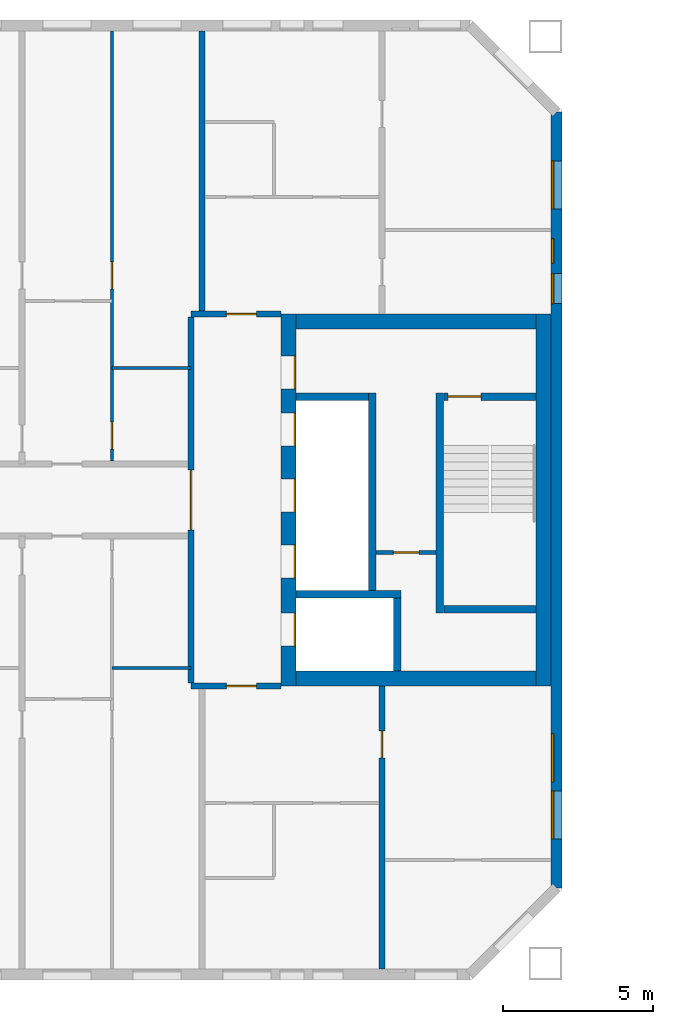
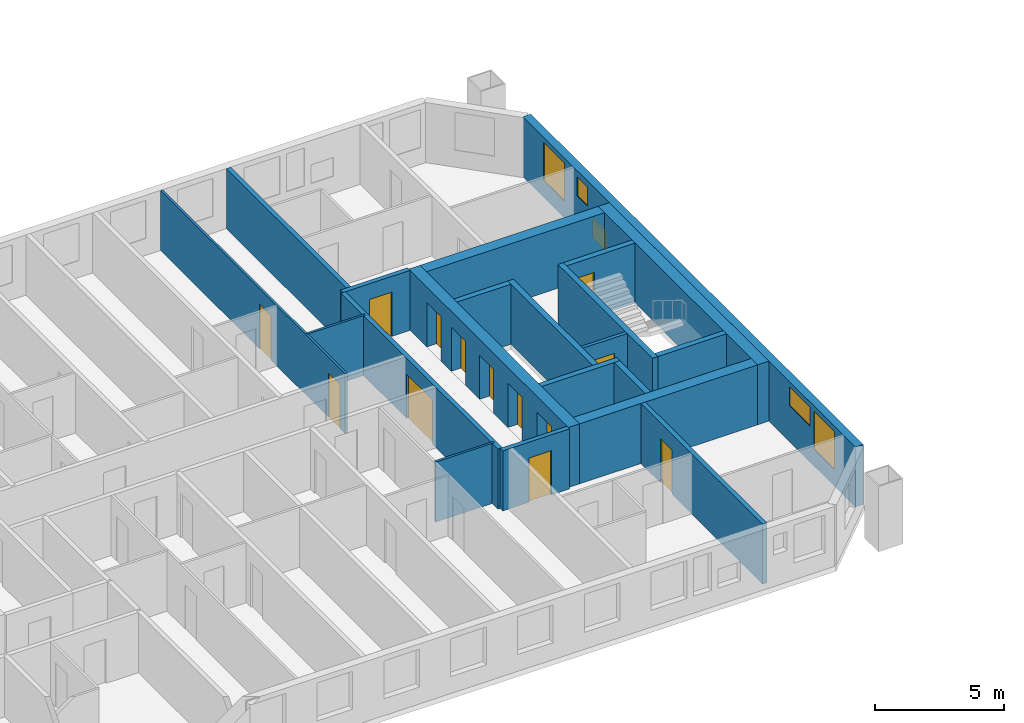
# One storey, part 7 of 16: 21 walls, 13 doors, 5 windows, 18 openings.
"""IFC4 building model written with IfcOpenShell, lengths in metres."""

from ifc_helpers import new_model, si_unit, direction, frame, frame_2d, origin, place, context, subcontext, project, spatial, rectangle, extrude, material, layer, layer_set, type_object, element, fill, save


model = new_model("IFC4")

# Units and contexts
model_context = context("Model", 3, precision=1e-05, world=origin(), true_north=direction((0.0, 1.0)))
body_context = subcontext(model_context, "Body", "Model", "MODEL_VIEW")
ifc_project = project(units=[si_unit("LENGTHUNIT", "METRE"), si_unit("AREAUNIT", "SQUARE_METRE"), si_unit("VOLUMEUNIT", "CUBIC_METRE"), si_unit("PLANEANGLEUNIT", "RADIAN"), si_unit("MASSUNIT", "GRAM", prefix="KILO")], contexts=[model_context])

# Site, building, storey
site_placement = place(None, origin())
site = spatial("IfcSite", under=ifc_project, at=site_placement, CompositionType="ELEMENT")
building_placement = place(site_placement, origin())
building = spatial("IfcBuilding", under=site, at=building_placement, Name="Tuart Gate Housing", CompositionType="ELEMENT")
storey_placement = place(building_placement, frame((0.0, 0.0, 151.60009765625)))
storey = spatial("IfcBuildingStorey", under=building, at=storey_placement, Name="L42", CompositionType="ELEMENT", Elevation=151.60009765625)

# Wall, openings, windows
ifc_material_1 = material(Name="Brick", Category="masonry")
ifc_layer_1 = layer(ifc_material_1, 0.360107421875)
ifc_layer_set_1 = layer_set([ifc_layer_1], Name="Brick pier and spandrel wall 360")
wall_type_1 = type_object("IfcWallType", Name="Brick pier and spandrel wall 360", PredefinedType="STANDARD", material=ifc_layer_set_1)
wall_1_placement = place(storey_placement, frame((75.820068359375, 57.07470703125, 0.0), z_axis=(0.0, 0.0, 1.0), x_axis=(0.0, 1.0, 0.0)))
wall_1 = element("IfcWall", 1, at=wall_1_placement, inside=storey, type_object=wall_type_1, Name="External wall A-E L42", PredefinedType="STANDARD", context=body_context, shape_type="SweptSolid", body=[
    extrude(rectangle(XDim=25.850830078125, YDim=0.360107421875, at=frame_2d((12.92529296875, 0.0))), origin(), (0.0, 0.0, 1.0), 2.849853515625),
])
opening_1_placement = place(wall_1_placement, frame((1.62548828125, 0.0, 0.800048828125)))
opening_1 = element("IfcOpeningElement", 2, at=opening_1_placement, cuts=wall_1, Name="Opening W1", PredefinedType="OPENING", context=body_context, shape_type="SweptSolid", body=[
    extrude(rectangle(XDim=1.60009765625, YDim=1.800048828125, at=frame_2d((0.800048828125, 0.89990234375))), frame((0.0, 0.18994140625, 0.0), z_axis=(0.0, -1.0, 0.0), x_axis=(1.0, 0.0, 0.0)), (0.0, 0.0, 1.0), 0.380126953125),
])
opening_2_placement = place(wall_1_placement, frame((3.525390625, 0.0, 1.699951171875)))
opening_2 = element("IfcOpeningElement", 3, at=opening_2_placement, cuts=wall_1, Name="Opening W1R", PredefinedType="OPENING", context=body_context, shape_type="SweptSolid", body=[
    extrude(rectangle(XDim=1.60009765625, YDim=0.89990234375, at=frame_2d((0.800048828125, 0.449951171875))), frame((0.0, 0.18994140625, 0.0), z_axis=(0.0, -1.0, 0.0), x_axis=(1.0, 0.0, 0.0)), (0.0, 0.0, 1.0), 0.380126953125),
])
opening_3_placement = place(wall_1_placement, frame((19.475341796875, 0.0, 0.35009765625)))
opening_3 = element("IfcOpeningElement", 4, at=opening_3_placement, cuts=wall_1, Name="Opening W1U", PredefinedType="OPENING", context=body_context, shape_type="SweptSolid", body=[
    extrude(rectangle(XDim=1.0, YDim=0.89990234375, at=frame_2d((0.5, 0.449951171875))), frame((0.0, 0.18994140625, 0.0), z_axis=(0.0, -1.0, 0.0), x_axis=(1.0, 0.0, 0.0)), (0.0, 0.0, 1.0), 0.380126953125),
])
opening_4_placement = place(wall_1_placement, frame((22.62548828125, 0.0, 0.800048828125)))
opening_4 = element("IfcOpeningElement", 5, at=opening_4_placement, cuts=wall_1, Name="Opening W1", PredefinedType="OPENING", context=body_context, shape_type="SweptSolid", body=[
    extrude(rectangle(XDim=1.60009765625, YDim=1.800048828125, at=frame_2d((0.800048828125, 0.89990234375))), frame((0.0, 0.18994140625, 0.0), z_axis=(0.0, -1.0, 0.0), x_axis=(1.0, 0.0, 0.0)), (0.0, 0.0, 1.0), 0.380126953125),
])
opening_5_placement = place(wall_1_placement, frame((20.825439453125, 0.0, 1.64990234375)))
opening_5 = element("IfcOpeningElement", 6, at=opening_5_placement, cuts=wall_1, Name="Opening W1V", PredefinedType="OPENING", context=body_context, shape_type="SweptSolid", body=[
    extrude(rectangle(XDim=0.800048828125, YDim=0.89990234375, at=frame_2d((0.39990234375, 0.449951171875))), frame((0.0, 0.18994140625, 0.0), z_axis=(0.0, -1.0, 0.0), x_axis=(1.0, 0.0, 0.0)), (0.0, 0.0, 1.0), 0.380126953125),
])
ifc_material_2 = material(Name="Aluminium frame with clear glass", Category="aluminium")
window_type_1 = type_object("IfcWindowType", Name="Punched window 1000 x 900", PartitioningType="SINGLE_PANEL", PredefinedType="WINDOW", material=ifc_material_2)
window_1_placement = place(opening_3_placement, origin())
window_1 = element("IfcWindow", 7, at=window_1_placement, inside=storey, type_object=window_type_1, Name="Window W1U", OverallHeight=0.89990234375, OverallWidth=1.0, PartitioningType="SINGLE_PANEL", PredefinedType="WINDOW", context=body_context, shape_type="SweptSolid", body=[
    extrude(rectangle(XDim=1.0, YDim=0.89990234375, at=frame_2d((0.5, 0.449951171875))), frame((0.0, 0.150146484375, 0.0), z_axis=(0.0, -1.0, 0.0), x_axis=(1.0, 0.0, 0.0)), (0.0, 0.0, 1.0), 0.06005859375),
])
fill(opening_3, window_1)
ifc_material_3 = material(Name="Aluminium frame with clear glass", Category="aluminium")
window_type_2 = type_object("IfcWindowType", Name="Punched window 1600 x 1800", PartitioningType="SINGLE_PANEL", PredefinedType="WINDOW", material=ifc_material_3)
window_2_placement = place(opening_1_placement, origin())
window_2 = element("IfcWindow", 8, at=window_2_placement, inside=storey, type_object=window_type_2, Name="Window W1", OverallHeight=1.800048828125, OverallWidth=1.60009765625, PartitioningType="SINGLE_PANEL", PredefinedType="WINDOW", context=body_context, shape_type="SweptSolid", body=[
    extrude(rectangle(XDim=1.60009765625, YDim=1.800048828125, at=frame_2d((0.800048828125, 0.89990234375))), frame((0.0, 0.150146484375, 0.0), z_axis=(0.0, -1.0, 0.0), x_axis=(1.0, 0.0, 0.0)), (0.0, 0.0, 1.0), 0.06005859375),
])
fill(opening_1, window_2)
window_3_placement = place(opening_4_placement, origin())
window_3 = element("IfcWindow", 9, at=window_3_placement, inside=storey, type_object=window_type_2, Name="Window W1", OverallHeight=1.800048828125, OverallWidth=1.60009765625, PartitioningType="SINGLE_PANEL", PredefinedType="WINDOW", context=body_context, shape_type="SweptSolid", body=[
    extrude(rectangle(XDim=1.60009765625, YDim=1.800048828125, at=frame_2d((0.800048828125, 0.89990234375))), frame((0.0, 0.150146484375, 0.0), z_axis=(0.0, -1.0, 0.0), x_axis=(1.0, 0.0, 0.0)), (0.0, 0.0, 1.0), 0.06005859375),
])
fill(opening_4, window_3)
ifc_material_4 = material(Name="Aluminium frame with clear glass", Category="aluminium")
window_type_3 = type_object("IfcWindowType", Name="Punched window 1600 x 900", PartitioningType="SINGLE_PANEL", PredefinedType="WINDOW", material=ifc_material_4)
window_4_placement = place(opening_2_placement, origin())
window_4 = element("IfcWindow", 10, at=window_4_placement, inside=storey, type_object=window_type_3, Name="Window W1R", OverallHeight=0.89990234375, OverallWidth=1.60009765625, PartitioningType="SINGLE_PANEL", PredefinedType="WINDOW", context=body_context, shape_type="SweptSolid", body=[
    extrude(rectangle(XDim=1.60009765625, YDim=0.89990234375, at=frame_2d((0.800048828125, 0.449951171875))), frame((0.0, 0.150146484375, 0.0), z_axis=(0.0, -1.0, 0.0), x_axis=(1.0, 0.0, 0.0)), (0.0, 0.0, 1.0), 0.06005859375),
])
fill(opening_2, window_4)
ifc_material_5 = material(Name="Aluminium frame with clear glass", Category="aluminium")
window_type_4 = type_object("IfcWindowType", Name="Punched window 800 x 900", PartitioningType="SINGLE_PANEL", PredefinedType="WINDOW", material=ifc_material_5)
window_5_placement = place(opening_5_placement, origin())
window_5 = element("IfcWindow", 11, at=window_5_placement, inside=storey, type_object=window_type_4, Name="Window W1V", OverallHeight=0.89990234375, OverallWidth=0.800048828125, PartitioningType="SINGLE_PANEL", PredefinedType="WINDOW", context=body_context, shape_type="SweptSolid", body=[
    extrude(rectangle(XDim=0.800048828125, YDim=0.89990234375, at=frame_2d((0.39990234375, 0.449951171875))), frame((0.0, 0.150146484375, 0.0), z_axis=(0.0, -1.0, 0.0), x_axis=(1.0, 0.0, 0.0)), (0.0, 0.0, 1.0), 0.06005859375),
])
fill(opening_5, window_5)

# Wall, opening, door
ifc_material_6 = material(Name="Plasterboard partition")
ifc_layer_2 = layer(ifc_material_6, 0.14990234375)
ifc_layer_set_2 = layer_set([ifc_layer_2], Name="Core partition 150")
wall_type_2 = type_object("IfcWallType", Name="Core partition 150", PredefinedType="PARTITIONING", material=ifc_layer_set_2)
wall_2_placement = place(storey_placement, frame((69.81494140625, 68.25, 0.0), z_axis=(0.0, 0.0, 1.0), x_axis=(1.0, 0.0, 0.0)))
wall_2 = element("IfcWall", 12, at=wall_2_placement, inside=storey, type_object=wall_type_2, Name="Core partition AG.3", PredefinedType="PARTITIONING", context=body_context, shape_type="SweptSolid", body=[
    extrude(rectangle(XDim=2.0, YDim=0.14990234375, at=frame_2d((1.0, 0.0))), origin(), (0.0, 0.0, 1.0), 2.849853515625),
])
opening_6_placement = place(wall_2_placement, frame((0.574951171875, 0.0, 0.0)))
opening_6 = element("IfcOpeningElement", 13, at=opening_6_placement, cuts=wall_2, Name="Opening D1550", PredefinedType="OPENING", context=body_context, shape_type="SweptSolid", body=[
    extrude(rectangle(XDim=0.85009765625, YDim=2.10009765625, at=frame_2d((0.425048828125, 1.050048828125))), frame((0.0, 0.0849609375, 0.0), z_axis=(0.0, -1.0, 0.0), x_axis=(1.0, 0.0, 0.0)), (0.0, 0.0, 1.0), 0.169921875),
])
ifc_material_7 = material(Name="Steel fire door", Category="steel")
door_type_1 = type_object("IfcDoorType", Name="Riser door 850 x 2100 RH", OperationType="SINGLE_SWING_RIGHT", PredefinedType="DOOR", material=ifc_material_7)
door_1_placement = place(opening_6_placement, frame((0.85009765625, 0.0, 0.0), z_axis=(0.0, 0.0, 1.0), x_axis=(-1.0, 0.0, 0.0)))
door_1 = element("IfcDoor", 14, at=door_1_placement, inside=storey, type_object=door_type_1, Name="Service room door AG.E1", OperationType="SINGLE_SWING_RIGHT", OverallHeight=2.10009765625, OverallWidth=0.85009765625, PredefinedType="DOOR", context=body_context, shape_type="SweptSolid", body=[
    extrude(rectangle(XDim=0.85009765625, YDim=2.10009765625, at=frame_2d((0.425048828125, 1.050048828125))), frame((0.0, 0.025146484375, 0.0), z_axis=(0.0, -1.0, 0.0), x_axis=(1.0, 0.0, 0.0)), (0.0, 0.0, 1.0), 0.050048828125),
])
fill(opening_6, door_1)

# Walls
ifc_material_8 = material(Name="Concrete C40", Category="concrete")
ifc_layer_3 = layer(ifc_material_8, 0.25)
ifc_layer_set_3 = layer_set([ifc_layer_3], Name="Core wall 250 C40")
wall_type_3 = type_object("IfcWallType", Name="Core wall 250 C40", PredefinedType="SHEAR", material=ifc_layer_set_3)
wall_3_placement = place(storey_placement, frame((72.06494140625, 66.35009765625, 0.0), z_axis=(0.0, 0.0, 1.0), x_axis=(1.0, 0.0, 0.0)))
element("IfcWall", 15, at=wall_3_placement, inside=storey, type_object=wall_type_3, Name="Core wall AG.1", PredefinedType="SHEAR", context=body_context, shape_type="SweptSolid", body=[
    extrude(rectangle(XDim=3.074951171875, YDim=0.25, at=frame_2d((1.53759765625, 0.0))), origin(), (0.0, 0.0, 1.0), 2.849853515625),
])
wall_4_placement = place(storey_placement, frame((67.139892578125, 66.85009765625, 0.0), z_axis=(0.0, 0.0, 1.0), x_axis=(1.0, 0.0, 0.0)))
element("IfcWall", 16, at=wall_4_placement, inside=storey, type_object=wall_type_3, Name="Core wall AG.2", PredefinedType="SHEAR", context=body_context, shape_type="SweptSolid", body=[
    extrude(rectangle(XDim=3.4951171875, YDim=0.25, at=frame_2d((1.74755859375, 0.0))), origin(), (0.0, 0.0, 1.0), 2.849853515625),
])
wall_5_placement = place(storey_placement, frame((67.139892578125, 73.449951171875, 0.0), z_axis=(0.0, 0.0, 1.0), x_axis=(1.0, 0.0, 0.0)))
element("IfcWall", 17, at=wall_5_placement, inside=storey, type_object=wall_type_3, Name="Core wall AG.4", PredefinedType="SHEAR", context=body_context, shape_type="SweptSolid", body=[
    extrude(rectangle(XDim=2.425048828125, YDim=0.25, at=frame_2d((1.21240234375, 0.0))), origin(), (0.0, 0.0, 1.0), 2.849853515625),
])

# Wall, opening, door
wall_6_placement = place(storey_placement, frame((72.06494140625, 73.449951171875, 0.0), z_axis=(0.0, 0.0, 1.0), x_axis=(1.0, 0.0, 0.0)))
wall_6 = element("IfcWall", 18, at=wall_6_placement, inside=storey, type_object=wall_type_3, Name="Core wall AG.5", PredefinedType="SHEAR", context=body_context, shape_type="SweptSolid", body=[
    extrude(rectangle(XDim=3.074951171875, YDim=0.25, at=frame_2d((1.53759765625, 0.0))), origin(), (0.0, 0.0, 1.0), 2.849853515625),
])
opening_7_placement = place(wall_6_placement, frame((0.14990234375, 0.0, 0.0)))
opening_7 = element("IfcOpeningElement", 19, at=opening_7_placement, cuts=wall_6, Name="Opening D1538", PredefinedType="OPENING", context=body_context, shape_type="SweptSolid", body=[
    extrude(rectangle(XDim=1.10009765625, YDim=2.10009765625, at=frame_2d((0.550048828125, 1.050048828125))), frame((0.0, 0.135009765625, 0.0), z_axis=(0.0, -1.0, 0.0), x_axis=(1.0, 0.0, 0.0)), (0.0, 0.0, 1.0), 0.27001953125),
])
ifc_material_9 = material(Name="Steel fire door", Category="steel")
door_type_2 = type_object("IfcDoorType", Name="Stair door 1100 x 2100 RH", OperationType="SINGLE_SWING_RIGHT", PredefinedType="DOOR", material=ifc_material_9)
door_2_placement = place(opening_7_placement, frame((1.10009765625, 0.0, 0.0), z_axis=(0.0, 0.0, 1.0), x_axis=(-1.0, 0.0, 0.0)))
door_2 = element("IfcDoor", 20, at=door_2_placement, inside=storey, type_object=door_type_2, Name="Stair door AG.SD", OperationType="SINGLE_SWING_RIGHT", OverallHeight=2.10009765625, OverallWidth=1.10009765625, PredefinedType="DOOR", context=body_context, shape_type="SweptSolid", body=[
    extrude(rectangle(XDim=1.10009765625, YDim=2.10009765625, at=frame_2d((0.550048828125, 1.050048828125))), frame((0.0, 0.025146484375, 0.0), z_axis=(0.0, -1.0, 0.0), x_axis=(1.0, 0.0, 0.0)), (0.0, 0.0, 1.0), 0.050048828125),
])
fill(opening_7, door_2)

# Walls
wall_7_placement = place(storey_placement, frame((69.68994140625, 66.97509765625, 0.0), z_axis=(0.0, 0.0, 1.0), x_axis=(0.0, 1.0, 0.0)))
element("IfcWall", 21, at=wall_7_placement, inside=storey, type_object=wall_type_3, Name="Core wall AG.6", PredefinedType="SHEAR", context=body_context, shape_type="SweptSolid", body=[
    extrude(rectangle(XDim=6.599853515625, YDim=0.25, at=frame_2d((3.2998046875, 0.0))), origin(), (0.0, 0.0, 1.0), 2.849853515625),
])
wall_8_placement = place(storey_placement, frame((70.510009765625, 64.300048828125, 0.0), z_axis=(0.0, 0.0, 1.0), x_axis=(0.0, 1.0, 0.0)))
element("IfcWall", 22, at=wall_8_placement, inside=storey, type_object=wall_type_3, Name="Core wall AG.7", PredefinedType="SHEAR", context=body_context, shape_type="SweptSolid", body=[
    extrude(rectangle(XDim=2.425048828125, YDim=0.25, at=frame_2d((1.21240234375, 0.0))), origin(), (0.0, 0.0, 1.0), 2.849853515625),
])
wall_9_placement = place(storey_placement, frame((71.93994140625, 66.22509765625, 0.0), z_axis=(0.0, 0.0, 1.0), x_axis=(0.0, 1.0, 0.0)))
element("IfcWall", 23, at=wall_9_placement, inside=storey, type_object=wall_type_3, Name="Core wall AG.8", PredefinedType="SHEAR", context=body_context, shape_type="SweptSolid", body=[
    extrude(rectangle(XDim=7.349853515625, YDim=0.25, at=frame_2d((3.6748046875, 0.0))), origin(), (0.0, 0.0, 1.0), 2.849853515625),
])

# Wall, openings, doors
ifc_material_10 = material(Name="Concrete C40", Category="concrete")
ifc_layer_4 = layer(ifc_material_10, 0.5)
ifc_layer_set_4 = layer_set([ifc_layer_4], Name="Core wall 500 C40")
wall_type_4 = type_object("IfcWallType", Name="Core wall 500 C40", PredefinedType="SHEAR", material=ifc_layer_set_4)
wall_10_placement = place(storey_placement, frame((66.889892578125, 63.800048828125, 0.0), z_axis=(0.0, 0.0, 1.0), x_axis=(0.0, 1.0, 0.0)))
wall_10 = element("IfcWall", 24, at=wall_10_placement, inside=storey, type_object=wall_type_4, Name="Core wall AG front", PredefinedType="SHEAR", context=body_context, shape_type="SweptSolid", body=[
    extrude(rectangle(XDim=12.39990234375, YDim=0.5, at=frame_2d((6.199951171875, 0.0))), origin(), (0.0, 0.0, 1.0), 2.849853515625),
])
opening_8_placement = place(wall_10_placement, frame((1.324951171875, 0.0, 0.0)))
opening_8 = element("IfcOpeningElement", 25, at=opening_8_placement, cuts=wall_10, Name="Opening LD-FA1", PredefinedType="OPENING", context=body_context, shape_type="SweptSolid", body=[
    extrude(rectangle(XDim=1.10009765625, YDim=2.10009765625, at=frame_2d((0.550048828125, 1.050048828125))), frame((0.0, 0.260009765625, 0.0), z_axis=(0.0, -1.0, 0.0), x_axis=(1.0, 0.0, 0.0)), (0.0, 0.0, 1.0), 0.52001953125),
])
opening_9_placement = place(wall_10_placement, frame((3.60009765625, 0.0, 0.0)))
opening_9 = element("IfcOpeningElement", 26, at=opening_9_placement, cuts=wall_10, Name="Opening LD-LA1", PredefinedType="OPENING", context=body_context, shape_type="SweptSolid", body=[
    extrude(rectangle(XDim=1.10009765625, YDim=2.10009765625, at=frame_2d((0.550048828125, 1.050048828125))), frame((0.0, 0.260009765625, 0.0), z_axis=(0.0, -1.0, 0.0), x_axis=(1.0, 0.0, 0.0)), (0.0, 0.0, 1.0), 0.52001953125),
])
opening_10_placement = place(wall_10_placement, frame((5.800048828125, 0.0, 0.0)))
opening_10 = element("IfcOpeningElement", 27, at=opening_10_placement, cuts=wall_10, Name="Opening LD-LA2", PredefinedType="OPENING", context=body_context, shape_type="SweptSolid", body=[
    extrude(rectangle(XDim=1.10009765625, YDim=2.10009765625, at=frame_2d((0.550048828125, 1.050048828125))), frame((0.0, 0.260009765625, 0.0), z_axis=(0.0, -1.0, 0.0), x_axis=(1.0, 0.0, 0.0)), (0.0, 0.0, 1.0), 0.52001953125),
])
opening_11_placement = place(wall_10_placement, frame((8.0, 0.0, 0.0)))
opening_11 = element("IfcOpeningElement", 28, at=opening_11_placement, cuts=wall_10, Name="Opening LD-LA3", PredefinedType="OPENING", context=body_context, shape_type="SweptSolid", body=[
    extrude(rectangle(XDim=1.10009765625, YDim=2.10009765625, at=frame_2d((0.550048828125, 1.050048828125))), frame((0.0, 0.260009765625, 0.0), z_axis=(0.0, -1.0, 0.0), x_axis=(1.0, 0.0, 0.0)), (0.0, 0.0, 1.0), 0.52001953125),
])
opening_12_placement = place(wall_10_placement, frame((9.89990234375, 0.0, 0.0)))
opening_12 = element("IfcOpeningElement", 29, at=opening_12_placement, cuts=wall_10, Name="Opening D1547", PredefinedType="OPENING", context=body_context, shape_type="SweptSolid", body=[
    extrude(rectangle(XDim=1.10009765625, YDim=2.10009765625, at=frame_2d((0.550048828125, 1.050048828125))), frame((0.0, 0.260009765625, 0.0), z_axis=(0.0, -1.0, 0.0), x_axis=(1.0, 0.0, 0.0)), (0.0, 0.0, 1.0), 0.52001953125),
])
ifc_material_11 = material(Name="Stainless steel", Category="steel")
door_type_3 = type_object("IfcDoorType", Name="Landing door 1100 x 2100", OperationType="DOUBLE_DOOR_SLIDING", PredefinedType="DOOR", material=ifc_material_11)
door_3_placement = place(opening_8_placement, origin())
door_3 = element("IfcDoor", 30, at=door_3_placement, inside=storey, type_object=door_type_3, Name="Lift landing door FA1", OperationType="DOUBLE_DOOR_SLIDING", OverallHeight=2.10009765625, OverallWidth=1.10009765625, PredefinedType="DOOR", context=body_context, shape_type="SweptSolid", body=[
    extrude(rectangle(XDim=1.10009765625, YDim=2.10009765625, at=frame_2d((0.550048828125, 1.050048828125))), frame((0.0, -0.18505859375, 0.0), z_axis=(0.0, -1.0, 0.0), x_axis=(1.0, 0.0, 0.0)), (0.0, 0.0, 1.0), 0.050048828125),
])
fill(opening_8, door_3)
door_4_placement = place(opening_9_placement, origin())
door_4 = element("IfcDoor", 31, at=door_4_placement, inside=storey, type_object=door_type_3, Name="Lift landing door LA1", OperationType="DOUBLE_DOOR_SLIDING", OverallHeight=2.10009765625, OverallWidth=1.10009765625, PredefinedType="DOOR", context=body_context, shape_type="SweptSolid", body=[
    extrude(rectangle(XDim=1.10009765625, YDim=2.10009765625, at=frame_2d((0.550048828125, 1.050048828125))), frame((0.0, -0.18505859375, 0.0), z_axis=(0.0, -1.0, 0.0), x_axis=(1.0, 0.0, 0.0)), (0.0, 0.0, 1.0), 0.050048828125),
])
fill(opening_9, door_4)
door_5_placement = place(opening_10_placement, origin())
door_5 = element("IfcDoor", 32, at=door_5_placement, inside=storey, type_object=door_type_3, Name="Lift landing door LA2", OperationType="DOUBLE_DOOR_SLIDING", OverallHeight=2.10009765625, OverallWidth=1.10009765625, PredefinedType="DOOR", context=body_context, shape_type="SweptSolid", body=[
    extrude(rectangle(XDim=1.10009765625, YDim=2.10009765625, at=frame_2d((0.550048828125, 1.050048828125))), frame((0.0, -0.18505859375, 0.0), z_axis=(0.0, -1.0, 0.0), x_axis=(1.0, 0.0, 0.0)), (0.0, 0.0, 1.0), 0.050048828125),
])
fill(opening_10, door_5)
door_6_placement = place(opening_11_placement, origin())
door_6 = element("IfcDoor", 33, at=door_6_placement, inside=storey, type_object=door_type_3, Name="Lift landing door LA3", OperationType="DOUBLE_DOOR_SLIDING", OverallHeight=2.10009765625, OverallWidth=1.10009765625, PredefinedType="DOOR", context=body_context, shape_type="SweptSolid", body=[
    extrude(rectangle(XDim=1.10009765625, YDim=2.10009765625, at=frame_2d((0.550048828125, 1.050048828125))), frame((0.0, -0.18505859375, 0.0), z_axis=(0.0, -1.0, 0.0), x_axis=(1.0, 0.0, 0.0)), (0.0, 0.0, 1.0), 0.050048828125),
])
fill(opening_11, door_6)
ifc_material_12 = material(Name="Steel fire door", Category="steel")
door_type_4 = type_object("IfcDoorType", Name="Lobby door 1100 x 2100 RH", OperationType="SINGLE_SWING_RIGHT", PredefinedType="DOOR", material=ifc_material_12)
door_7_placement = place(opening_12_placement, frame((1.10009765625, 0.0, 0.0), z_axis=(0.0, 0.0, 1.0), x_axis=(-1.0, 0.0, 0.0)))
door_7 = element("IfcDoor", 34, at=door_7_placement, inside=storey, type_object=door_type_4, Name="Lobby entry door AG.EN", OperationType="SINGLE_SWING_RIGHT", OverallHeight=2.10009765625, OverallWidth=1.10009765625, PredefinedType="DOOR", context=body_context, shape_type="SweptSolid", body=[
    extrude(rectangle(XDim=1.10009765625, YDim=2.10009765625, at=frame_2d((0.550048828125, 1.050048828125))), frame((0.0, 0.235107421875, 0.0), z_axis=(0.0, -1.0, 0.0), x_axis=(1.0, 0.0, 0.0)), (0.0, 0.0, 1.0), 0.050048828125),
])
fill(opening_12, door_7)

# Walls
wall_11_placement = place(storey_placement, frame((75.389892578125, 63.800048828125, 0.0), z_axis=(0.0, 0.0, 1.0), x_axis=(0.0, 1.0, 0.0)))
element("IfcWall", 35, at=wall_11_placement, inside=storey, type_object=wall_type_4, Name="Core wall AG back", PredefinedType="SHEAR", context=body_context, shape_type="SweptSolid", body=[
    extrude(rectangle(XDim=12.39990234375, YDim=0.5, at=frame_2d((6.199951171875, 0.0))), origin(), (0.0, 0.0, 1.0), 2.849853515625),
])
for number, where, z_axis, x_axis, name in (
    (36, (67.139892578125, 64.050048828125, 0.0), (0.0, 0.0, 1.0), (1.0, 0.0, 0.0), "Core wall AG south"),
    (37, (67.139892578125, 75.949951171875, 0.0), (0.0, 0.0, 1.0), (1.0, 0.0, 0.0), "Core wall AG north"),
):
    element("IfcWall", number, at=place(storey_placement, frame(where, z_axis=z_axis, x_axis=x_axis)), inside=storey, type_object=wall_type_4, Name=name, PredefinedType="SHEAR", context=body_context, shape_type="SweptSolid", body=[
        extrude(rectangle(XDim=8.0, YDim=0.5, at=frame_2d((4.0, 0.0))), origin(), (0.0, 0.0, 1.0), 2.849853515625),
    ])

# Wall, opening, door
ifc_material_13 = material(Name="Concrete masonry 15 MPa", Category="masonry")
ifc_layer_5 = layer(ifc_material_13, 0.199951171875)
ifc_layer_set_5 = layer_set([ifc_layer_5], Name="Enclosure wall masonry 200")
wall_type_5 = type_object("IfcWallType", Name="Enclosure wall masonry 200", PredefinedType="PARTITIONING", material=ifc_layer_set_5)
wall_12_placement = place(storey_placement, frame((63.639892578125, 63.800048828125, 0.0), z_axis=(0.0, 0.0, 1.0), x_axis=(1.0, 0.0, 0.0)))
wall_12 = element("IfcWall", 38, at=wall_12_placement, inside=storey, type_object=wall_type_5, Name="Enclosure wall masonry 200", PredefinedType="PARTITIONING", context=body_context, shape_type="SweptSolid", body=[
    extrude(rectangle(XDim=3.0, YDim=0.199951171875, at=frame_2d((1.5, 0.0))), origin(), (0.0, 0.0, 1.0), 2.849853515625),
])
opening_13_placement = place(wall_12_placement, frame((1.179931640625, 0.0, 0.0)))
opening_13 = element("IfcOpeningElement", 39, at=opening_13_placement, cuts=wall_12, Name="Opening D1553", PredefinedType="OPENING", context=body_context, shape_type="SweptSolid", body=[
    extrude(rectangle(XDim=1.0, YDim=2.10009765625, at=frame_2d((0.5, 1.050048828125))), frame((0.0, 0.10986328125, 0.0), z_axis=(0.0, -1.0, 0.0), x_axis=(1.0, 0.0, 0.0)), (0.0, 0.0, 1.0), 0.219970703125),
])
ifc_material_14 = material(Name="Timber door leaf in steel frame", Category="steel")
door_type_5 = type_object("IfcDoorType", Name="Flat entrance door 1000 RH", OperationType="SINGLE_SWING_RIGHT", PredefinedType="DOOR", material=ifc_material_14)
door_8_placement = place(opening_13_placement, frame((1.0, 0.0, 0.0), z_axis=(0.0, 0.0, 1.0), x_axis=(-1.0, 0.0, 0.0)))
door_8 = element("IfcDoor", 40, at=door_8_placement, inside=storey, type_object=door_type_5, Name="Flat entrance door", OperationType="SINGLE_SWING_RIGHT", OverallHeight=2.10009765625, OverallWidth=1.0, PredefinedType="DOOR", context=body_context, shape_type="SweptSolid", body=[
    extrude(rectangle(XDim=1.0, YDim=2.10009765625, at=frame_2d((0.5, 1.050048828125))), frame((0.0, 0.025146484375, 0.0), z_axis=(0.0, -1.0, 0.0), x_axis=(1.0, 0.0, 0.0)), (0.0, 0.0, 1.0), 0.050048828125),
])
fill(opening_13, door_8)

wall_13_placement = place(storey_placement, frame((63.639892578125, 76.199951171875, 0.0), z_axis=(0.0, 0.0, 1.0), x_axis=(1.0, 0.0, 0.0)))
wall_13 = element("IfcWall", 41, at=wall_13_placement, inside=storey, type_object=wall_type_5, Name="Enclosure wall masonry 200", PredefinedType="PARTITIONING", context=body_context, shape_type="SweptSolid", body=[
    extrude(rectangle(XDim=3.0, YDim=0.199951171875, at=frame_2d((1.5, 0.0))), origin(), (0.0, 0.0, 1.0), 2.849853515625),
])
opening_14_placement = place(wall_13_placement, frame((1.179931640625, 0.0, 0.0)))
opening_14 = element("IfcOpeningElement", 42, at=opening_14_placement, cuts=wall_13, Name="Opening D1536", PredefinedType="OPENING", context=body_context, shape_type="SweptSolid", body=[
    extrude(rectangle(XDim=1.0, YDim=2.10009765625, at=frame_2d((0.5, 1.050048828125))), frame((0.0, 0.10986328125, 0.0), z_axis=(0.0, -1.0, 0.0), x_axis=(1.0, 0.0, 0.0)), (0.0, 0.0, 1.0), 0.219970703125),
])
ifc_material_15 = material(Name="Timber door leaf in steel frame", Category="steel")
door_type_6 = type_object("IfcDoorType", Name="Flat entrance door 1000", OperationType="SINGLE_SWING_LEFT", PredefinedType="DOOR", material=ifc_material_15)
door_9_placement = place(opening_14_placement, origin())
door_9 = element("IfcDoor", 43, at=door_9_placement, inside=storey, type_object=door_type_6, Name="Flat entrance door", OperationType="SINGLE_SWING_LEFT", OverallHeight=2.10009765625, OverallWidth=1.0, PredefinedType="DOOR", context=body_context, shape_type="SweptSolid", body=[
    extrude(rectangle(XDim=1.0, YDim=2.10009765625, at=frame_2d((0.5, 1.050048828125))), frame((0.0, 0.02490234375, 0.0), z_axis=(0.0, -1.0, 0.0), x_axis=(1.0, 0.0, 0.0)), (0.0, 0.0, 1.0), 0.050048828125),
])
fill(opening_14, door_9)

ifc_material_16 = material(Name="Plasterboard partition")
ifc_layer_6 = layer(ifc_material_16, 0.199951171875)
ifc_layer_set_6 = layer_set([ifc_layer_6], Name="Lobby wall 200")
wall_type_6 = type_object("IfcWallType", Name="Lobby wall 200", PredefinedType="PARTITIONING", material=ifc_layer_set_6)
wall_14_placement = place(storey_placement, frame((63.639892578125, 63.89990234375, 0.0), z_axis=(0.0, 0.0, 1.0), x_axis=(0.0, 1.0, 0.0)))
wall_14 = element("IfcWall", 44, at=wall_14_placement, inside=storey, type_object=wall_type_6, Name="Lift lobby wall AG", PredefinedType="PARTITIONING", context=body_context, shape_type="SweptSolid", body=[
    extrude(rectangle(XDim=12.2001953125, YDim=0.199951171875, at=frame_2d((6.10009765625, 0.0))), origin(), (0.0, 0.0, 1.0), 2.849853515625),
])
opening_15_placement = place(wall_14_placement, frame((5.10009765625, 0.0, 0.0)))
opening_15 = element("IfcOpeningElement", 45, at=opening_15_placement, cuts=wall_14, Name="Opening D1546", PredefinedType="OPENING", context=body_context, shape_type="SweptSolid", body=[
    extrude(rectangle(XDim=2.0, YDim=2.10009765625, at=frame_2d((1.0, 1.050048828125))), frame((0.0, 0.10986328125, 0.0), z_axis=(0.0, -1.0, 0.0), x_axis=(1.0, 0.0, 0.0)), (0.0, 0.0, 1.0), 0.219970703125),
])
ifc_material_17 = material(Name="Steel fire door", Category="steel")
door_type_7 = type_object("IfcDoorType", Name="Smoke door 2000 x 2100", OperationType="DOUBLE_DOOR_SINGLE_SWING", PredefinedType="DOOR", material=ifc_material_17)
door_10_placement = place(opening_15_placement, frame((2.0, 0.0, 0.0), z_axis=(0.0, 0.0, 1.0), x_axis=(-1.0, 0.0, 0.0)))
door_10 = element("IfcDoor", 46, at=door_10_placement, inside=storey, type_object=door_type_7, Name="Lift lobby smoke door AG", OperationType="DOUBLE_DOOR_SINGLE_SWING", OverallHeight=2.10009765625, OverallWidth=2.0, PredefinedType="DOOR", context=body_context, shape_type="SweptSolid", body=[
    extrude(rectangle(XDim=2.0, YDim=2.10009765625, at=frame_2d((1.0, 1.050048828125))), frame((0.0, 0.025146484375, 0.0), z_axis=(0.0, -1.0, 0.0), x_axis=(1.0, 0.0, 0.0)), (0.0, 0.0, 1.0), 0.050048828125),
])
fill(opening_15, door_10)

# Walls
ifc_material_18 = material(Name="Gypsum board on steel studs", Category="steel")
ifc_layer_7 = layer(ifc_material_18, 0.10009765625)
ifc_layer_set_7 = layer_set([ifc_layer_7], Name="Partition 100")
wall_type_7 = type_object("IfcWallType", Name="Partition 100", PredefinedType="PARTITIONING", material=ifc_layer_set_7)
for number, where, z_axis, x_axis, name in (
    (47, (61.0, 64.39990234375, 0.0), (0.0, 0.0, 1.0), (1.0, 0.0, 0.0), "Partition 100"),
    (48, (61.0, 74.39990234375, 0.0), (0.0, 0.0, 1.0), (1.0, 0.0, 0.0), "Partition 100"),
):
    element("IfcWall", number, at=place(storey_placement, frame(where, z_axis=z_axis, x_axis=x_axis)), inside=storey, type_object=wall_type_7, Name=name, PredefinedType="PARTITIONING", context=body_context, shape_type="SweptSolid", body=[
        extrude(rectangle(XDim=2.639892578125, YDim=0.10009765625, at=frame_2d((1.31982421875, 0.0))), origin(), (0.0, 0.0, 1.0), 2.849853515625),
    ])

# Wall, openings, doors
wall_15_placement = place(storey_placement, frame((61.0, 71.300048828125, 0.0), z_axis=(0.0, 0.0, 1.0), x_axis=(0.0, 1.0, 0.0)))
wall_15 = element("IfcWall", 49, at=wall_15_placement, inside=storey, type_object=wall_type_7, Name="Partition 100", PredefinedType="PARTITIONING", context=body_context, shape_type="SweptSolid", body=[
    extrude(rectangle(XDim=14.33984375, YDim=0.10009765625, at=frame_2d((7.169921875, 0.0))), origin(), (0.0, 0.0, 1.0), 2.849853515625),
])
opening_16_placement = place(wall_15_placement, frame((5.739990234375, 0.0, 0.0)))
opening_16 = element("IfcOpeningElement", 50, at=opening_16_placement, cuts=wall_15, Name="Opening D1528", PredefinedType="OPENING", context=body_context, shape_type="SweptSolid", body=[
    extrude(rectangle(XDim=0.89990234375, YDim=2.10009765625, at=frame_2d((0.449951171875, 1.050048828125))), frame((0.0, 0.06005859375, 0.0), z_axis=(0.0, -1.0, 0.0), x_axis=(1.0, 0.0, 0.0)), (0.0, 0.0, 1.0), 0.1201171875),
])
opening_17_placement = place(wall_15_placement, frame((0.39990234375, 0.0, 0.0)))
opening_17 = element("IfcOpeningElement", 51, at=opening_17_placement, cuts=wall_15, Name="Opening D1527", PredefinedType="OPENING", context=body_context, shape_type="SweptSolid", body=[
    extrude(rectangle(XDim=0.89990234375, YDim=2.10009765625, at=frame_2d((0.449951171875, 1.050048828125))), frame((0.0, 0.06005859375, 0.0), z_axis=(0.0, -1.0, 0.0), x_axis=(1.0, 0.0, 0.0)), (0.0, 0.0, 1.0), 0.1201171875),
])
ifc_material_19 = material(Name="Timber door leaf in steel frame", Category="steel")
door_type_8 = type_object("IfcDoorType", Name="Bathroom door 900 RH", OperationType="SINGLE_SWING_RIGHT", PredefinedType="DOOR", material=ifc_material_19)
door_11_placement = place(opening_17_placement, frame((0.89990234375, 0.0, 0.0), z_axis=(0.0, 0.0, 1.0), x_axis=(-1.0, 0.0, 0.0)))
door_11 = element("IfcDoor", 52, at=door_11_placement, inside=storey, type_object=door_type_8, Name="Bathroom door", OperationType="SINGLE_SWING_RIGHT", OverallHeight=2.10009765625, OverallWidth=0.89990234375, PredefinedType="DOOR", context=body_context, shape_type="SweptSolid", body=[
    extrude(rectangle(XDim=0.89990234375, YDim=2.10009765625, at=frame_2d((0.449951171875, 1.050048828125))), frame((0.0, 0.025146484375, 0.0), z_axis=(0.0, -1.0, 0.0), x_axis=(1.0, 0.0, 0.0)), (0.0, 0.0, 1.0), 0.050048828125),
])
fill(opening_17, door_11)
ifc_material_20 = material(Name="Timber door leaf in steel frame", Category="steel")
door_type_9 = type_object("IfcDoorType", Name="Internal door 900 RH", OperationType="SINGLE_SWING_RIGHT", PredefinedType="DOOR", material=ifc_material_20)
door_12_placement = place(opening_16_placement, frame((0.89990234375, 0.0, 0.0), z_axis=(0.0, 0.0, 1.0), x_axis=(-1.0, 0.0, 0.0)))
door_12 = element("IfcDoor", 53, at=door_12_placement, inside=storey, type_object=door_type_9, Name="Internal door", OperationType="SINGLE_SWING_RIGHT", OverallHeight=2.10009765625, OverallWidth=0.89990234375, PredefinedType="DOOR", context=body_context, shape_type="SweptSolid", body=[
    extrude(rectangle(XDim=0.89990234375, YDim=2.10009765625, at=frame_2d((0.449951171875, 1.050048828125))), frame((0.0, 0.025146484375, 0.0), z_axis=(0.0, -1.0, 0.0), x_axis=(1.0, 0.0, 0.0)), (0.0, 0.0, 1.0), 0.050048828125),
])
fill(opening_16, door_12)

# Wall
ifc_material_21 = material(Name="Concrete C40", Category="concrete")
ifc_layer_8 = layer(ifc_material_21, 0.199951171875)
ifc_layer_set_8 = layer_set([ifc_layer_8], Name="Party wall concrete C40 200")
wall_type_8 = type_object("IfcWallType", Name="Party wall concrete C40 200", PredefinedType="SOLIDWALL", material=ifc_layer_set_8)
wall_16_placement = place(storey_placement, frame((64.0, 76.199951171875, 0.0), z_axis=(0.0, 0.0, 1.0), x_axis=(0.0, 1.0, 0.0)))
element("IfcWall", 54, at=wall_16_placement, inside=storey, type_object=wall_type_8, Name="Party wall concrete C40 200", PredefinedType="SOLIDWALL", context=body_context, shape_type="SweptSolid", body=[
    extrude(rectangle(XDim=9.43994140625, YDim=0.199951171875, at=frame_2d((4.719970703125, 0.0))), origin(), (0.0, 0.0, 1.0), 2.849853515625),
])

# Wall, opening, door
wall_17_placement = place(storey_placement, frame((70.0, 54.360107421875, 0.0), z_axis=(0.0, 0.0, 1.0), x_axis=(0.0, 1.0, 0.0)))
wall_17 = element("IfcWall", 55, at=wall_17_placement, inside=storey, type_object=wall_type_8, Name="Party wall concrete C40 200", PredefinedType="SOLIDWALL", context=body_context, shape_type="SweptSolid", body=[
    extrude(rectangle(XDim=9.43994140625, YDim=0.199951171875, at=frame_2d((4.719970703125, 0.0))), origin(), (0.0, 0.0, 1.0), 2.849853515625),
])
opening_18_placement = place(wall_17_placement, frame((7.0400390625, 0.0, 0.0)))
opening_18 = element("IfcOpeningElement", 56, at=opening_18_placement, cuts=wall_17, Name="Opening D1569", PredefinedType="OPENING", context=body_context, shape_type="SweptSolid", body=[
    extrude(rectangle(XDim=0.89990234375, YDim=2.10009765625, at=frame_2d((0.449951171875, 1.050048828125))), frame((0.0, 0.10986328125, 0.0), z_axis=(0.0, -1.0, 0.0), x_axis=(1.0, 0.0, 0.0)), (0.0, 0.0, 1.0), 0.219970703125),
])
ifc_material_22 = material(Name="Timber door leaf in steel frame", Category="steel")
door_type_10 = type_object("IfcDoorType", Name="Internal door 900", OperationType="SINGLE_SWING_LEFT", PredefinedType="DOOR", material=ifc_material_22)
door_13_placement = place(opening_18_placement, origin())
door_13 = element("IfcDoor", 57, at=door_13_placement, inside=storey, type_object=door_type_10, Name="Internal door", OperationType="SINGLE_SWING_LEFT", OverallHeight=2.10009765625, OverallWidth=0.89990234375, PredefinedType="DOOR", context=body_context, shape_type="SweptSolid", body=[
    extrude(rectangle(XDim=0.89990234375, YDim=2.10009765625, at=frame_2d((0.449951171875, 1.050048828125))), frame((0.0, 0.02490234375, 0.0), z_axis=(0.0, -1.0, 0.0), x_axis=(1.0, 0.0, 0.0)), (0.0, 0.0, 1.0), 0.050048828125),
])
fill(opening_18, door_13)

save(model, "model.ifc")
